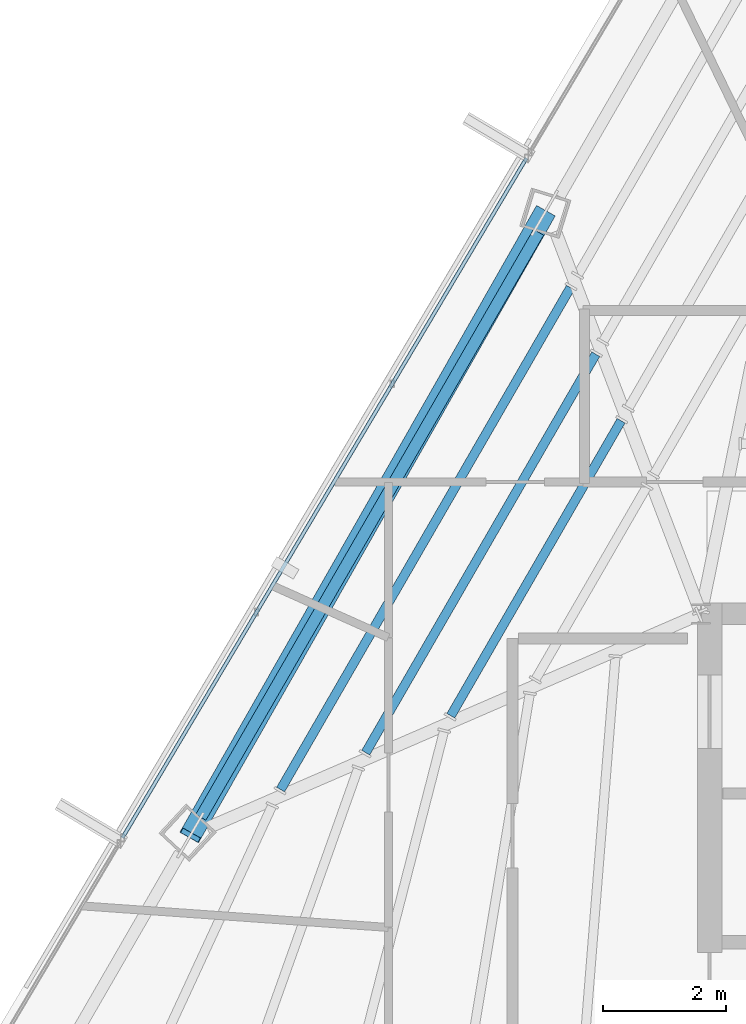
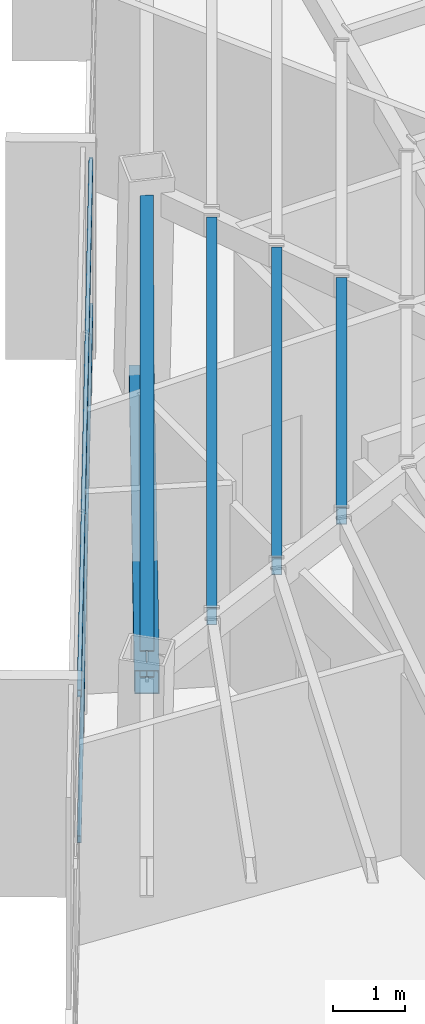
# One storey, part 16 of 45: 4 beams, 3 members, 1 element without a shape of its own.
"""IFC4 building model written with IfcOpenShell, lengths in metres."""

from ifc_helpers import new_model, si_unit, direction, frame, origin, origin_2d, place, context, subcontext, project, spatial, hollow_rectangle, i_section, extrude, source, transform, mapped, material, material_profile, profile_set, type_object, type_shapes, element, aggregate, save


model = new_model("IFC4")

# Units and contexts
model_context = context("Model", 3, precision=1e-05, world=origin(), true_north=direction((0.0, 1.0)))
body_context = subcontext(model_context, "Body", "Model", "MODEL_VIEW")
ifc_project = project(units=[si_unit("LENGTHUNIT", "METRE"), si_unit("AREAUNIT", "SQUARE_METRE"), si_unit("VOLUMEUNIT", "CUBIC_METRE"), si_unit("PLANEANGLEUNIT", "RADIAN"), si_unit("MASSUNIT", "GRAM", prefix="KILO")], contexts=[model_context])

# Site, building, storey
site_placement = place(None, origin())
site = spatial("IfcSite", under=ifc_project, at=site_placement, CompositionType="ELEMENT")
building_placement = place(site_placement, origin())
building = spatial("IfcBuilding", under=site, at=building_placement, Name="Caelisora Broadcast Tower", CompositionType="ELEMENT")
storey_placement = place(building_placement, frame((0.0, 0.0, 240.800048828125)))
storey = spatial("IfcBuildingStorey", under=building, at=storey_placement, Name="L63", CompositionType="ELEMENT", Elevation=240.800048828125)

# Beams
ifc_material_1 = material(Name="Steel Grade 350 (AS/NZS 3679.1)", Category="steel")
ifc_material_profile_1 = material_profile(ifc_material_1, i_section(OverallWidth=0.19091796875, OverallDepth=0.46044921875, WebThickness=0.010009765625, FlangeThickness=0.01611328125, at=origin_2d()), Name="Steel Grade 350 (AS/NZS 3679.1)")
ifc_profile_set_1 = profile_set([ifc_material_profile_1], Name="Steel Grade 350 (AS/NZS 3679.1)")
beam_type_1 = type_object("IfcBeamType", Name="PG06", PredefinedType="BEAM", material=ifc_profile_set_1)
shared_shape_1 = source(origin(), body_context, "Body", "SweptSolid", [
    extrude(i_section(OverallWidth=0.19091796875, OverallDepth=0.46044921875, WebThickness=0.010009765625, FlangeThickness=0.01611328125, at=origin_2d()), origin(), (0.0, 0.0, 1.0), 11.02587890625),
])
type_shapes(beam_type_1, [shared_shape_1])
beam_1_placement = place(storey_placement, frame((27.8486328125, 36.226806640625, 3.169677734375), z_axis=(-0.499994623926, -0.86602850764, 0.0), x_axis=(0.86602850764, -0.499994623926, 0.0)))
element("IfcBeam", 1, at=beam_1_placement, inside=storey, type_object=beam_type_1, Name="L63 beam PG06", PredefinedType="BEAM", context=body_context, shape_type="MappedRepresentation", body=[
    mapped(shared_shape_1, transform((0.0, 0.0, 0.0), scale=1.0)),
])
ifc_material_2 = material(Name="Steel Grade 350 (AS/NZS 1163 C350L0)", Category="steel")
ifc_material_profile_2 = material_profile(ifc_material_2, hollow_rectangle(XDim=0.14990234375, YDim=0.300048828125, WallThickness=0.010009765625, at=origin_2d()), Name="Steel Grade 350 (AS/NZS 1163 C350L0)")
ifc_profile_set_2 = profile_set([ifc_material_profile_2], Name="Steel Grade 350 (AS/NZS 1163 C350L0)")
beam_type_2 = type_object("IfcBeamType", Name="SB05", PredefinedType="JOIST", material=ifc_profile_set_2)
shared_shape_2 = source(origin(), body_context, "Body", "SweptSolid", [
    extrude(hollow_rectangle(XDim=0.14990234375, YDim=0.300048828125, WallThickness=0.010009765625, at=origin_2d()), origin(), (0.0, 0.0, 1.0), 5.56005859375),
])
beam_2_placement = place(storey_placement, frame((29.19580078125, 33.150634765625, 3.25), z_axis=(-0.49999738653, -0.866026912667, 0.0), x_axis=(0.866026912667, -0.49999738653, 0.0)))
element("IfcBeam", 2, at=beam_2_placement, inside=storey, type_object=beam_type_2, Name="L63 beam SB05", PredefinedType="JOIST", context=body_context, shape_type="MappedRepresentation", body=[
    mapped(shared_shape_2, transform((0.0, 0.0, 0.0), scale=1.0)),
])
shared_shape_3 = source(origin(), body_context, "Body", "SweptSolid", [
    extrude(hollow_rectangle(XDim=0.14990234375, YDim=0.300048828125, WallThickness=0.010009765625, at=origin_2d()), origin(), (0.0, 0.0, 1.0), 7.510498046875),
])
beam_3_placement = place(storey_placement, frame((28.781982421875, 34.2373046875, 3.25), z_axis=(-0.499981328069, -0.86603618376, 0.0), x_axis=(0.86603618376, -0.499981328069, 0.0)))
element("IfcBeam", 3, at=beam_3_placement, inside=storey, type_object=beam_type_2, Name="L63 beam SB05", PredefinedType="JOIST", context=body_context, shape_type="MappedRepresentation", body=[
    mapped(shared_shape_3, transform((0.0, 0.0, 0.0), scale=1.0)),
])
shared_shape_4 = source(origin(), body_context, "Body", "SweptSolid", [
    extrude(hollow_rectangle(XDim=0.14990234375, YDim=0.300048828125, WallThickness=0.010009765625, at=origin_2d()), origin(), (0.0, 0.0, 1.0), 9.460693359375),
])
type_shapes(beam_type_2, [shared_shape_2, shared_shape_3, shared_shape_4])
beam_4_placement = place(storey_placement, frame((28.368408203125, 35.32373046875, 3.25), z_axis=(-0.500013592824, -0.866017555821, 0.0), x_axis=(0.866017555821, -0.500013592824, 0.0)))
element("IfcBeam", 4, at=beam_4_placement, inside=storey, type_object=beam_type_2, Name="L63 beam SB05", PredefinedType="JOIST", context=body_context, shape_type="MappedRepresentation", body=[
    mapped(shared_shape_4, transform((0.0, 0.0, 0.0), scale=1.0)),
])

# Member
ifc_material_3 = material(Name="Steel Grade 450 (AS/NZS 1163 C450L0)", Category="steel")
ifc_material_profile_3 = material_profile(ifc_material_3, hollow_rectangle(XDim=0.35009765625, YDim=0.35009765625, WallThickness=0.012451171875, at=origin_2d()), Name="Steel Grade 450 (AS/NZS 1163 C450L0)")
ifc_profile_set_3 = profile_set([ifc_material_profile_3], Name="Steel Grade 450 (AS/NZS 1163 C450L0)")
member_type_1 = type_object("IfcMemberType", Name="BR05", PredefinedType="BRACE", material=ifc_profile_set_3)
shared_shape_5 = source(origin(), body_context, "Body", "SweptSolid", [
    extrude(hollow_rectangle(XDim=0.35009765625, YDim=0.35009765625, WallThickness=0.012451171875, at=origin_2d()), origin(), (0.0, 0.0, 1.0), 12.06494140625),
])
type_shapes(member_type_1, [shared_shape_5])
member_1_placement = place(storey_placement, frame((27.94677734375, 36.54150390625, 0.099853515625), z_axis=(-0.479099706998, -0.841803844024, 0.248655904696), x_axis=(0.869100656784, -0.494635268029, 0.0)))
element("IfcMember", 5, at=member_1_placement, inside=storey, type_object=member_type_1, Name="L63 perimeter brace BR05", PredefinedType="BRACE", context=body_context, shape_type="MappedRepresentation", body=[
    mapped(shared_shape_5, transform((0.0, 0.0, 0.0), scale=1.0)),
])

# Curtain wall, members
ifc_material_4 = material(Name="Unitised Aluminium Insulated Shadow-Box Spandrel Curtain Wall", Category="aluminium")
curtain_wall_type = type_object("IfcCurtainWallType", Name="CW-SP3", PredefinedType="NOTDEFINED", material=ifc_material_4)
curtain_wall_placement = place(storey_placement, origin())
curtain_wall = element("IfcCurtainWall", 6, at=curtain_wall_placement, inside=storey, type_object=curtain_wall_type, Name="L63 curtain wall CW-SP3", PredefinedType="NOTDEFINED")
ifc_material_5 = material(Name="Aluminium 6063-T6 Anodised Terracotta Bronze", Category="aluminium")
ifc_material_profile_4 = material_profile(ifc_material_5, hollow_rectangle(XDim=0.06005859375, YDim=0.1201171875, WallThickness=0.0029296875, at=origin_2d()), Name="Aluminium 6063-T6 Anodised Terracotta Bronze")
ifc_profile_set_4 = profile_set([ifc_material_profile_4], Name="Aluminium 6063-T6 Anodised Terracotta Bronze")
member_type_2 = type_object("IfcMemberType", Name="CWT-03", PredefinedType="USERDEFINED", material=ifc_profile_set_4)
shared_shape_6 = source(origin(), body_context, "Body", "SweptSolid", [
    extrude(hollow_rectangle(XDim=0.06005859375, YDim=0.1201171875, WallThickness=0.0029296875, at=origin_2d()), origin(), (0.0, 0.0, 1.0), 12.908203125),
])
type_shapes(member_type_2, [shared_shape_6])
member_2_placement = place(storey_placement, frame((21.055908203125, 26.34228515625, 0.849853515625), z_axis=(0.510967378718, 0.85960010347, 0.0), x_axis=(-0.85960010347, 0.510967378718, 0.0)))
member_2 = element("IfcMember", 7, at=member_2_placement, type_object=member_type_2, Name="L63-CW-B10 transom #1", ObjectType="TRANSOM", PredefinedType="USERDEFINED", context=body_context, shape_type="MappedRepresentation", body=[
    mapped(shared_shape_6, transform((0.0, 0.0, 0.0), scale=1.0)),
])
member_3_placement = place(storey_placement, frame((21.055908203125, 26.34228515625, 3.320068359375), z_axis=(0.510967378718, 0.85960010347, 0.0), x_axis=(-0.85960010347, 0.510967378718, 0.0)))
member_3 = element("IfcMember", 8, at=member_3_placement, type_object=member_type_2, Name="L63-CW-B10 transom #2", ObjectType="TRANSOM", PredefinedType="USERDEFINED", context=body_context, shape_type="MappedRepresentation", body=[
    mapped(shared_shape_6, transform((0.0, 0.0, 0.0), scale=1.0)),
])
aggregate(curtain_wall, [member_2, member_3])

save(model, "model.ifc")
